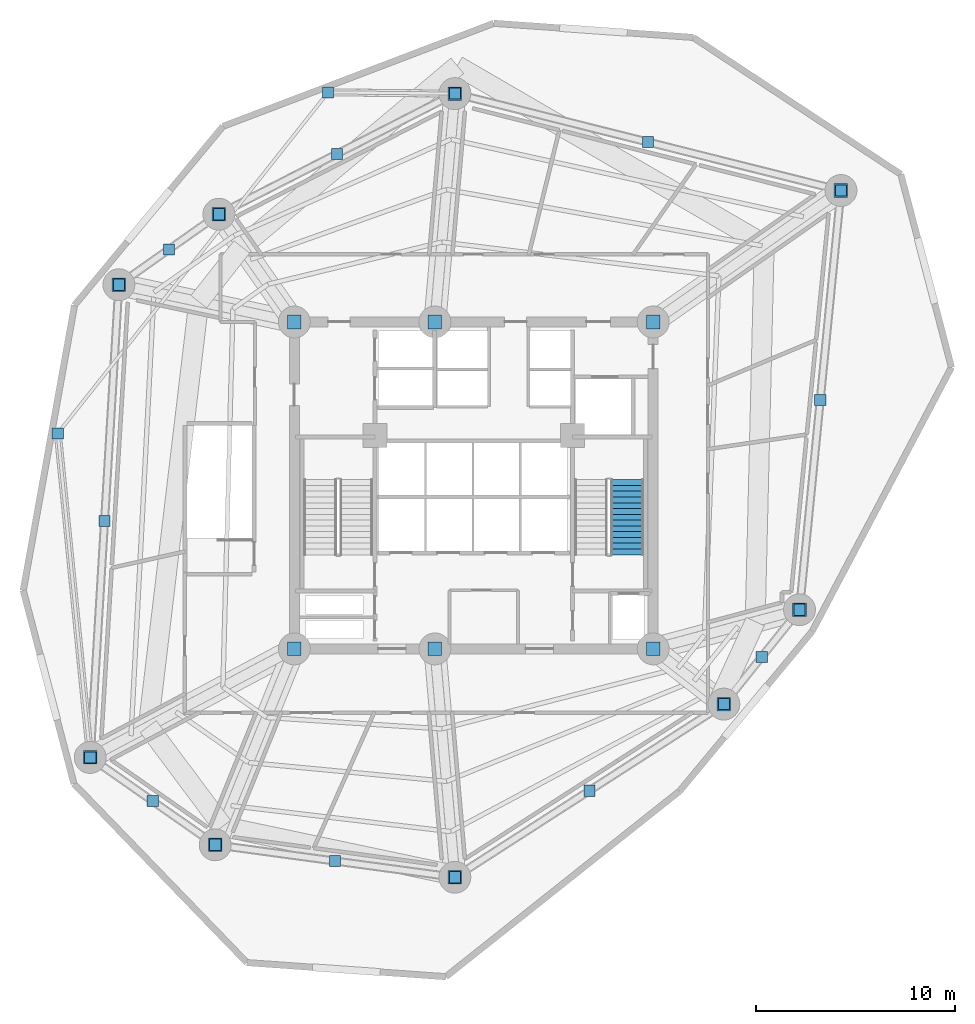
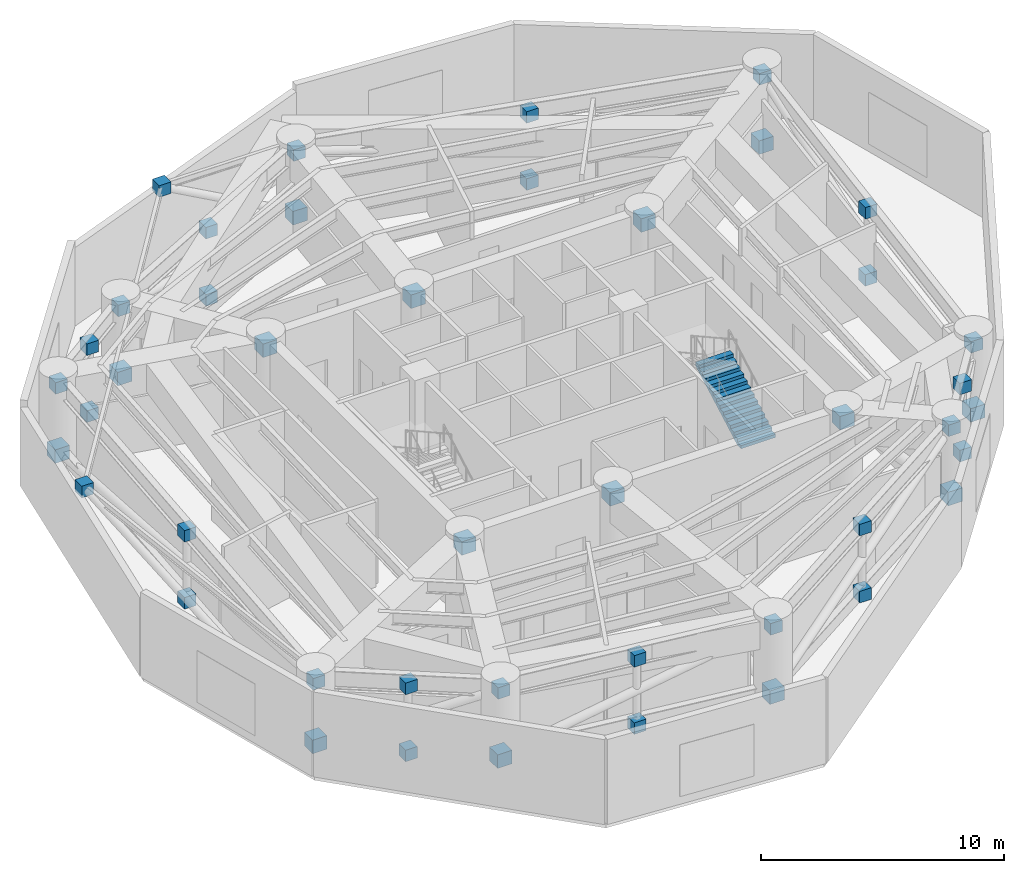
# One storey, part 10 of 13: 44 discrete accessories, 1 stair flight, 1 element without a shape of its own.
"""IFC4 building model written with IfcOpenShell, lengths in metres."""

import ifcopenshell
import ifcopenshell.guid

model = None  # the IFC model being written
_history = None  # IfcOwnerHistory: only IFC2X3 demands one
_inside = {}  # id of a spatial element -> (the spatial element, [elements in it])
_under = {}  # id of a project, library or spatial element -> (it, [spatial elements below it])
_declared = {}  # id of a project -> (the project, [libraries it declares])
_typed = {}  # id of a type object -> (the type object, [elements of that type])
_made_of = {}  # id of a material, layer set ... -> (it, [elements and type objects made of it])


def new_model(schema):
    """Start an empty IFC model of exactly this schema.

    Asked for "IFC4X3", IfcOpenShell would pick the latest addendum, in which some entities
    have other attributes; the version numbers below select the first issue.
    IFC2X3 requires an IfcOwnerHistory on every rooted entity: one is made here for all.
    """
    global model, _history
    if schema == "IFC4X3":
        model = ifcopenshell.file(schema_version=(4, 3, 0, 0))
    else:
        model = ifcopenshell.file(schema=schema)
    _inside.clear()
    _under.clear()
    _declared.clear()
    _typed.clear()
    _made_of.clear()
    _history = None
    if model.schema == "IFC2X3":
        org = make("IfcOrganization", Name="unknown")
        user = make(
            "IfcPersonAndOrganization",
            ThePerson=make("IfcPerson", FamilyName="unknown"),
            TheOrganization=org,
        )
        app = make(
            "IfcApplication",
            ApplicationDeveloper=org,
            Version="unknown",
            ApplicationFullName="unknown",
            ApplicationIdentifier="unknown",
        )
        _history = make(
            "IfcOwnerHistory",
            OwningUser=user,
            OwningApplication=app,
            ChangeAction="ADDED",
            CreationDate=0,
        )
    return model


def make(cls, **values):
    """One entity of the class cls with the attributes given. An attribute that is None is left unset."""
    return model.create_entity(
        cls, **{name: value for name, value in values.items() if value is not None}
    )


def rooted(cls, **values):
    """An entity with a GlobalId (a new one), such as an element, a storey or a relation."""
    return make(cls, GlobalId=ifcopenshell.guid.new(), OwnerHistory=_history, **values)


def si_unit(unit_type, name, prefix=None):
    """IfcSIUnit, for example si_unit("LENGTHUNIT", "METRE", prefix="MILLI")."""
    return make("IfcSIUnit", UnitType=unit_type, Prefix=prefix, Name=name)


def assignment(units):
    """IfcUnitAssignment: the units of a project."""
    return None if units is None else make("IfcUnitAssignment", Units=units)


def point(xyz):
    """IfcCartesianPoint."""
    return None if xyz is None else make("IfcCartesianPoint", Coordinates=xyz)


def direction(xyz):
    """IfcDirection."""
    return None if xyz is None else make("IfcDirection", DirectionRatios=xyz)


def frame(location, z_axis=None, x_axis=None):
    """IfcAxis2Placement3D, a coordinate frame: its origin and axes. An axis left out is left unset."""
    return make(
        "IfcAxis2Placement3D",
        Location=point(location),
        Axis=direction(z_axis),
        RefDirection=direction(x_axis),
    )


def frame_2d(location, x_axis=None):
    """IfcAxis2Placement2D, a coordinate frame in the plane: its origin and x axis."""
    return make(
        "IfcAxis2Placement2D", Location=point(location), RefDirection=direction(x_axis)
    )


def origin():
    """The frame at (0, 0, 0) with its axes left unset."""
    return frame((0.0, 0.0, 0.0))


def origin_with_axes():
    """The frame at (0, 0, 0) with the z axis (0, 0, 1) and the x axis (1, 0, 0) written out."""
    return frame((0.0, 0.0, 0.0), z_axis=(0.0, 0.0, 1.0), x_axis=(1.0, 0.0, 0.0))


def origin_2d():
    """The frame at (0, 0) in the plane with its x axis left unset."""
    return frame_2d((0.0, 0.0))


def place(relative_to, where):
    """IfcLocalPlacement: puts the frame where relative to a parent placement (None: the world)."""
    return make(
        "IfcLocalPlacement", PlacementRelTo=relative_to, RelativePlacement=where
    )


def context(
    kind, dimensions, precision=None, world=None, true_north=None, identifier=None
):
    """IfcGeometricRepresentationContext, for example the 3D "Model" context."""
    return make(
        "IfcGeometricRepresentationContext",
        ContextIdentifier=identifier,
        ContextType=kind,
        CoordinateSpaceDimension=dimensions,
        Precision=precision,
        WorldCoordinateSystem=world,
        TrueNorth=true_north,
    )


def subcontext(parent, identifier, kind, view, scale=None):
    """IfcGeometricRepresentationSubContext, for example "Body" below "Model"."""
    return make(
        "IfcGeometricRepresentationSubContext",
        ContextIdentifier=identifier,
        ContextType=kind,
        ParentContext=parent,
        TargetScale=scale,
        TargetView=view,
    )


def project(units=None, contexts=None):
    """IfcProject with its units and contexts."""
    return rooted(
        "IfcProject",
        Name="project",
        RepresentationContexts=contexts,
        UnitsInContext=assignment(units),
    )


def spatial(cls, under=None, at=None, **own):
    """A site, building, storey or space (cls), placed at a placement, below another one or the project."""
    s = rooted(cls, ObjectPlacement=at, **own)
    if under is not None:
        _under.setdefault(under.id(), (under, []))[1].append(s)
    return s


def polyline(points):
    """IfcPolyline through the points."""
    return make("IfcPolyline", Points=[point(p) for p in points])


def profile(cls, at=None, kind="AREA", **sizes):
    """A parametric profile (cls). Its sizes go by their IFC names, for example OverallWidth=200.0."""
    return make(cls, ProfileType=kind, Position=at, **sizes)


def rectangle(**sizes):
    """IfcRectangleProfileDef."""
    return profile("IfcRectangleProfileDef", **sizes)


def outline(outer, holes=None, kind="AREA"):
    """IfcArbitraryClosedProfileDef: a profile drawn as a closed curve; with holes, ...WithVoids."""
    if holes is None:
        return make("IfcArbitraryClosedProfileDef", ProfileType=kind, OuterCurve=outer)
    return make(
        "IfcArbitraryProfileDefWithVoids",
        ProfileType=kind,
        OuterCurve=outer,
        InnerCurves=holes,
    )


def extrude(swept, where, along, depth):
    """IfcExtrudedAreaSolid: the profile swept, set in the frame where, extruded along a direction by depth."""
    return make(
        "IfcExtrudedAreaSolid",
        SweptArea=swept,
        Position=where,
        ExtrudedDirection=direction(along),
        Depth=depth,
    )


def shape(context_of_items, identifier, shape_type, items):
    """IfcShapeRepresentation: the items that make up one representation, for example the "Body"."""
    return make(
        "IfcShapeRepresentation",
        ContextOfItems=context_of_items,
        RepresentationIdentifier=identifier,
        RepresentationType=shape_type,
        Items=items,
    )


def source(mapping_origin, context_of_items, identifier, shape_type, items):
    """IfcRepresentationMap: a shape defined once, which mapped items show again and again."""
    return make(
        "IfcRepresentationMap",
        MappingOrigin=mapping_origin,
        MappedRepresentation=shape(context_of_items, identifier, shape_type, items),
    )


def transform(
    local_origin,
    x_axis=None,
    y_axis=None,
    z_axis=None,
    scale=None,
    scale2=None,
    scale3=None,
    uniform=True,
):
    """IfcCartesianTransformationOperator3D, or its non-uniform kind. x_axis, y_axis, z_axis: its Axis1, 2, 3."""
    if uniform:
        return make(
            "IfcCartesianTransformationOperator3D",
            Axis1=direction(x_axis),
            Axis2=direction(y_axis),
            LocalOrigin=point(local_origin),
            Scale=scale,
            Axis3=direction(z_axis),
        )
    return make(
        "IfcCartesianTransformationOperator3DnonUniform",
        Axis1=direction(x_axis),
        Axis2=direction(y_axis),
        LocalOrigin=point(local_origin),
        Scale=scale,
        Axis3=direction(z_axis),
        Scale2=scale2,
        Scale3=scale3,
    )


def mapped(mapping_source, mapping_target):
    """IfcMappedItem: shows the shape of a source again, moved by a transform."""
    return make(
        "IfcMappedItem", MappingSource=mapping_source, MappingTarget=mapping_target
    )


def material(Name=None, Category=None):
    """IfcMaterial."""
    return make("IfcMaterial", Name=Name, Category=Category)


def made_of(thing, what):
    """Note that an element or type object is made of a material, layer set ...; save() writes the relation."""
    if what is not None:
        _made_of.setdefault(what.id(), (what, []))[1].append(thing)
    return thing


def type_object(cls, material=None, **own):
    """A type object (cls), such as IfcWallType, which elements share."""
    return made_of(rooted(cls, **own), material)


def element(
    cls,
    number,
    at=None,
    inside=None,
    cuts=None,
    type_object=None,
    material=None,
    context=None,
    identifier="Body",
    shape_type=None,
    held_by="IfcProductDefinitionShape",
    body=None,
    shapes=None,
    **own,
):
    """One element of the class cls, such as IfcWall. Its Tag is "e" and its number.

    at: its placement. inside: the storey or other place that contains it. cuts: it is an
    opening in that element (IfcRelVoidsElement). A single representation is given by context,
    identifier, shape_type and body (its items); several are given by shapes. held_by: the class
    of the entity that holds the representations. save() writes the other relations.
    """
    e = rooted(cls, Tag="e%d" % number, ObjectPlacement=at, **own)
    if body is not None:
        shapes = [shape(context, identifier, shape_type, body)]
    if shapes is not None:
        e.Representation = make(held_by, Representations=shapes)
    if inside is not None:
        _inside.setdefault(inside.id(), (inside, []))[1].append(e)
    if cuts is not None:
        rooted(
            "IfcRelVoidsElement", RelatingBuildingElement=cuts, RelatedOpeningElement=e
        )
    if type_object is not None:
        _typed.setdefault(type_object.id(), (type_object, []))[1].append(e)
    return made_of(e, material)


def aggregate(whole, parts):
    """IfcRelAggregates: a whole, such as a stair, and the parts it consists of."""
    return rooted("IfcRelAggregates", RelatingObject=whole, RelatedObjects=parts)


def save(model, path):
    """Write the relations noted so far, then the file.

    IfcRelAggregates (storeys below a building ...), IfcRelContainedInSpatialStructure (elements
    in a storey), IfcRelDefinesByType, IfcRelAssociatesMaterial and IfcRelDeclares: one each for
    every whole, place, type object, material and project.
    """
    for whole, parts in _under.values():
        aggregate(whole, parts)
    for where, things in _inside.values():
        rooted(
            "IfcRelContainedInSpatialStructure",
            RelatedElements=things,
            RelatingStructure=where,
        )
    for kind, things in _typed.values():
        rooted("IfcRelDefinesByType", RelatedObjects=things, RelatingType=kind)
    for what, things in _made_of.values():
        rooted("IfcRelAssociatesMaterial", RelatedObjects=things, RelatingMaterial=what)
    for by, libraries in _declared.values():
        rooted("IfcRelDeclares", RelatingContext=by, RelatedDefinitions=libraries)
    model.write(path)


model = new_model("IFC4")

# Units and contexts
model_context = context("Model", 3, precision=1e-05, world=origin(), true_north=direction((0.0, 1.0)))
body_context = subcontext(model_context, "Body", "Model", "MODEL_VIEW")
ifc_project = project(units=[si_unit("LENGTHUNIT", "METRE"), si_unit("AREAUNIT", "SQUARE_METRE"), si_unit("VOLUMEUNIT", "CUBIC_METRE"), si_unit("PLANEANGLEUNIT", "RADIAN"), si_unit("MASSUNIT", "GRAM", prefix="KILO")], contexts=[model_context])

# Site, building, storey
site_placement = place(None, origin())
site = spatial("IfcSite", under=ifc_project, at=site_placement, CompositionType="ELEMENT")
building_placement = place(site_placement, origin())
building = spatial("IfcBuilding", under=site, at=building_placement, Name="Karkom Vertical University and Central Library", CompositionType="ELEMENT")
storey_placement = place(building_placement, frame((0.0, 0.0, 87.699951171875)))
storey = spatial("IfcBuildingStorey", under=building, at=storey_placement, Name="P23", CompositionType="ELEMENT", Elevation=87.699951171875)

# Stair, stair flight
ifc_material_1 = material(Name="Concrete C45/55", Category="concrete")
stair_type = type_object("IfcStairType", Name="INT-STR-ST-MAIN", PredefinedType="HALF_TURN_STAIR", material=ifc_material_1)
stair_placement = place(storey_placement, origin())
stair = element("IfcStair", 1, at=stair_placement, inside=storey, type_object=stair_type, Name="Plant Level 23 Tower Protected Exit Stair ST-2", PredefinedType="HALF_TURN_STAIR")
stair_flight_type = type_object("IfcStairFlightType", Name="INT-SFL-ST-MAIN", PredefinedType="STRAIGHT", material=ifc_material_1)
stair_flight_placement = place(storey_placement, frame((36.195068359375, 23.02001953125, 0.0), z_axis=(0.0, 0.0, 1.0), x_axis=(0.0, 1.0, 0.0)))
stair_flight = element("IfcStairFlight", 2, at=stair_flight_placement, type_object=stair_flight_type, Name="ST-2 flight 1", NumberOfRisers=14, NumberOfTreads=13, PredefinedType="STRAIGHT", RiserHeight=0.160714286, TreadLength=0.29, context=body_context, shape_type="SweptSolid", body=[
    extrude(outline(polyline([(0.0, 0.0), (0.0, 0.16064453125), (0.2900390625, 0.16064453125), (0.2900390625, 0.321533203125), (0.580078125, 0.321533203125), (0.580078125, 0.482177734375), (0.8701171875, 0.482177734375), (0.8701171875, 0.642822265625), (1.159912109375, 0.642822265625), (1.159912109375, 0.803466796875), (1.449951171875, 0.803466796875), (1.449951171875, 0.96435546875), (1.739990234375, 0.96435546875), (1.739990234375, 1.125), (2.030029296875, 1.125), (2.030029296875, 1.28564453125), (2.320068359375, 1.28564453125), (2.320068359375, 1.446533203125), (2.610107421875, 1.446533203125), (2.610107421875, 1.607177734375), (2.89990234375, 1.607177734375), (2.89990234375, 1.767822265625), (3.18994140625, 1.767822265625), (3.18994140625, 1.928466796875), (3.47998046875, 1.928466796875), (3.47998046875, 2.08935546875), (3.77001953125, 2.08935546875), (3.77001953125, 2.25), (3.77001953125, 1.91796875), (0.309326171875, 0.0), (0.0, 0.0)])), frame((0.0, 0.824951171875, 0.0), z_axis=(0.0, -1.0, 0.0), x_axis=(1.0, 0.0, 0.0)), (0.0, 0.0, 1.0), 1.64990234375),
])
aggregate(stair, [stair_flight])

# Discrete accessories
ifc_material_2 = material(Name="Ductile cast iron EN-GJS-400-15", Category="metal")
discrete_accessory_type = type_object("IfcDiscreteAccessoryType", Name="STR-ACC-NODECAP", PredefinedType="BRACKET", material=ifc_material_2)
shared_shape_1 = source(origin_with_axes(), body_context, "Body", "SweptSolid", [
    extrude(rectangle(XDim=0.56005859375, YDim=0.56005859375, at=origin_2d()), origin(), (0.0, 0.0, 1.0), 0.580078125),
])
for number, where, z_axis, x_axis, name in (
    (3, (21.193603515625, 46.218994140625, 3.820068359375), (0.0, 0.0, 1.0), (1.0, 0.0, 0.0), "Plant Level 23 Cast Node Connector P23-SKG-KNEE-1 B"),
    (4, (7.6337890625, 29.110595703125, 3.820068359375), (0.0, 0.0, 1.0), (1.0, 0.0, 0.0), "Plant Level 23 Cast Node Connector P23-SKG-KNEE-2 B"),
    (5, (46.919921875, 41.2958984375, 3.43505859375), (0.0, 0.0, 1.0), (1.0, 0.0, 0.0), "Plant Level 23 Cast Node Connector P23-BELT-BRACE-01 B"),
    (6, (45.880615234375, 30.781494140625, 0.06005859375), (0.0, 0.0, 1.0), (1.0, 0.0, 0.0), "Plant Level 23 Cast Node Connector P23-BELT-POST-01 A"),
    (7, (45.880615234375, 30.781494140625, 3.43505859375), (0.0, 0.0, 1.0), (1.0, 0.0, 0.0), "Plant Level 23 Cast Node Connector P23-BELT-POST-01 B"),
    (8, (27.552001953125, 46.156005859375, 3.43505859375), (0.0, 0.0, 1.0), (1.0, 0.0, 0.0), "Plant Level 23 Cast Node Connector P23-BELT-BRACE-02 B"),
    (9, (37.236083984375, 43.72607421875, 0.06005859375), (0.0, 0.0, 1.0), (1.0, 0.0, 0.0), "Plant Level 23 Cast Node Connector P23-BELT-POST-02 A"),
    (10, (37.236083984375, 43.72607421875, 3.43505859375), (0.0, 0.0, 1.0), (1.0, 0.0, 0.0), "Plant Level 23 Cast Node Connector P23-BELT-POST-02 B"),
    (11, (15.714111328125, 40.10595703125, 3.43505859375), (0.0, 0.0, 1.0), (1.0, 0.0, 0.0), "Plant Level 23 Cast Node Connector P23-BELT-BRACE-03 B"),
    (12, (21.633056640625, 43.131103515625, 0.06005859375), (0.0, 0.0, 1.0), (1.0, 0.0, 0.0), "Plant Level 23 Cast Node Connector P23-BELT-POST-03 A"),
    (13, (21.633056640625, 43.131103515625, 3.43505859375), (0.0, 0.0, 1.0), (1.0, 0.0, 0.0), "Plant Level 23 Cast Node Connector P23-BELT-POST-03 B"),
    (14, (10.697021484375, 36.571044921875, 3.43505859375), (0.0, 0.0, 1.0), (1.0, 0.0, 0.0), "Plant Level 23 Cast Node Connector P23-BELT-BRACE-04 B"),
    (15, (13.20556640625, 38.33837890625, 0.06005859375), (0.0, 0.0, 1.0), (1.0, 0.0, 0.0), "Plant Level 23 Cast Node Connector P23-BELT-POST-04 A"),
    (16, (13.20556640625, 38.33837890625, 3.43505859375), (0.0, 0.0, 1.0), (1.0, 0.0, 0.0), "Plant Level 23 Cast Node Connector P23-BELT-POST-04 B"),
    (17, (9.258056640625, 12.85400390625, 3.43505859375), (0.0, 0.0, 1.0), (1.0, 0.0, 0.0), "Plant Level 23 Cast Node Connector P23-BELT-BRACE-05 B"),
    (18, (9.9775390625, 24.71240234375, 0.06005859375), (0.0, 0.0, 1.0), (1.0, 0.0, 0.0), "Plant Level 23 Cast Node Connector P23-BELT-POST-05 A"),
    (19, (9.9775390625, 24.71240234375, 3.43505859375), (0.0, 0.0, 1.0), (1.0, 0.0, 0.0), "Plant Level 23 Cast Node Connector P23-BELT-POST-05 B"),
    (20, (15.529052734375, 8.471923828125, 3.43505859375), (0.0, 0.0, 1.0), (1.0, 0.0, 0.0), "Plant Level 23 Cast Node Connector P23-BELT-BRACE-06 B"),
    (21, (12.3935546875, 10.6630859375, 0.06005859375), (0.0, 0.0, 1.0), (1.0, 0.0, 0.0), "Plant Level 23 Cast Node Connector P23-BELT-POST-06 A"),
    (22, (12.3935546875, 10.6630859375, 3.43505859375), (0.0, 0.0, 1.0), (1.0, 0.0, 0.0), "Plant Level 23 Cast Node Connector P23-BELT-POST-06 B"),
    (23, (27.552001953125, 6.843994140625, 3.43505859375), (0.0, 0.0, 1.0), (1.0, 0.0, 0.0), "Plant Level 23 Cast Node Connector P23-BELT-BRACE-07 B"),
    (24, (21.54052734375, 7.657958984375, 0.06005859375), (0.0, 0.0, 1.0), (1.0, 0.0, 0.0), "Plant Level 23 Cast Node Connector P23-BELT-POST-07 A"),
    (25, (21.54052734375, 7.657958984375, 3.43505859375), (0.0, 0.0, 1.0), (1.0, 0.0, 0.0), "Plant Level 23 Cast Node Connector P23-BELT-POST-07 B"),
    (26, (41.0458984375, 15.530029296875, 3.43505859375), (0.0, 0.0, 1.0), (1.0, 0.0, 0.0), "Plant Level 23 Cast Node Connector P23-BELT-BRACE-08 B"),
    (27, (34.299072265625, 11.18701171875, 0.06005859375), (0.0, 0.0, 1.0), (1.0, 0.0, 0.0), "Plant Level 23 Cast Node Connector P23-BELT-POST-08 A"),
    (28, (34.299072265625, 11.18701171875, 3.43505859375), (0.0, 0.0, 1.0), (1.0, 0.0, 0.0), "Plant Level 23 Cast Node Connector P23-BELT-POST-08 B"),
    (29, (44.841064453125, 20.26708984375, 3.43505859375), (0.0, 0.0, 1.0), (1.0, 0.0, 0.0), "Plant Level 23 Cast Node Connector P23-BELT-BRACE-09 B"),
    (30, (42.943603515625, 17.8984375, 0.06005859375), (0.0, 0.0, 1.0), (1.0, 0.0, 0.0), "Plant Level 23 Cast Node Connector P23-BELT-POST-09 A"),
    (31, (42.943603515625, 17.8984375, 3.43505859375), (0.0, 0.0, 1.0), (1.0, 0.0, 0.0), "Plant Level 23 Cast Node Connector P23-BELT-POST-09 B"),
):
    element("IfcDiscreteAccessory", number, at=place(storey_placement, frame(where, z_axis=z_axis, x_axis=x_axis)), inside=storey, type_object=discrete_accessory_type, Name=name, PredefinedType="BRACKET", context=body_context, shape_type="MappedRepresentation", body=[
        mapped(shared_shape_1, transform((0.0, 0.0, 0.0), scale=1.0)),
    ])
shared_shape_2 = source(origin_with_axes(), body_context, "Body", "SweptSolid", [
    extrude(rectangle(XDim=0.679931640625, YDim=0.679931640625, at=origin_2d()), origin(), (0.0, 0.0, 1.0), 0.679931640625),
])
for number, where, z_axis, x_axis, name in (
    (32, (27.552001953125, 46.156005859375, 0.2900390625), (0.0, 0.0, 1.0), (1.0, 0.0, 0.0), "Plant Level 23 Cast Node Connector P23-SKG-KNEE-1 A"),
    (33, (9.258056640625, 12.85400390625, 0.2900390625), (0.0, 0.0, 1.0), (1.0, 0.0, 0.0), "Plant Level 23 Cast Node Connector P23-SKG-KNEE-2 A"),
    (34, (44.841064453125, 20.26708984375, 0.01025390625), (0.0, 0.0, 1.0), (1.0, 0.0, 0.0), "Plant Level 23 Cast Node Connector P23-BELT-BRACE-01 A"),
    (35, (46.919921875, 41.2958984375, 0.01025390625), (0.0, 0.0, 1.0), (1.0, 0.0, 0.0), "Plant Level 23 Cast Node Connector P23-BELT-CHORD-01 B"),
    (36, (15.714111328125, 40.10595703125, 0.01025390625), (0.0, 0.0, 1.0), (1.0, 0.0, 0.0), "Plant Level 23 Cast Node Connector P23-BELT-CHORD-03 B"),
    (37, (10.697021484375, 36.571044921875, 0.01025390625), (0.0, 0.0, 1.0), (1.0, 0.0, 0.0), "Plant Level 23 Cast Node Connector P23-BELT-CHORD-04 B"),
    (38, (15.529052734375, 8.471923828125, 0.01025390625), (0.0, 0.0, 1.0), (1.0, 0.0, 0.0), "Plant Level 23 Cast Node Connector P23-BELT-CHORD-06 B"),
    (39, (27.552001953125, 6.843994140625, 0.01025390625), (0.0, 0.0, 1.0), (1.0, 0.0, 0.0), "Plant Level 23 Cast Node Connector P23-BELT-CHORD-07 B"),
    (40, (41.0458984375, 15.530029296875, 0.01025390625), (0.0, 0.0, 1.0), (1.0, 0.0, 0.0), "Plant Level 23 Cast Node Connector P23-BELT-CHORD-08 B"),
    (41, (37.5, 18.300048828125, 3.38525390625), (0.0, 0.0, 1.0), (1.0, 0.0, 0.0), "Plant Level 23 Cast Node Connector P23-OUTRIGGER-BRACE-01 A"),
    (42, (37.5, 34.699951171875, 3.38525390625), (0.0, 0.0, 1.0), (1.0, 0.0, 0.0), "Plant Level 23 Cast Node Connector P23-OUTRIGGER-BRACE-02 A"),
    (43, (26.550048828125, 34.699951171875, 3.38525390625), (0.0, 0.0, 1.0), (1.0, 0.0, 0.0), "Plant Level 23 Cast Node Connector P23-OUTRIGGER-BRACE-03 A"),
    (44, (19.5, 34.699951171875, 3.38525390625), (0.0, 0.0, 1.0), (1.0, 0.0, 0.0), "Plant Level 23 Cast Node Connector P23-OUTRIGGER-BRACE-04 A"),
    (45, (19.5, 18.300048828125, 3.38525390625), (0.0, 0.0, 1.0), (1.0, 0.0, 0.0), "Plant Level 23 Cast Node Connector P23-OUTRIGGER-BRACE-06 A"),
    (46, (26.550048828125, 18.300048828125, 3.38525390625), (0.0, 0.0, 1.0), (1.0, 0.0, 0.0), "Plant Level 23 Cast Node Connector P23-OUTRIGGER-BRACE-08 A"),
):
    element("IfcDiscreteAccessory", number, at=place(storey_placement, frame(where, z_axis=z_axis, x_axis=x_axis)), inside=storey, type_object=discrete_accessory_type, Name=name, PredefinedType="BRACKET", context=body_context, shape_type="MappedRepresentation", body=[
        mapped(shared_shape_2, transform((0.0, 0.0, 0.0), scale=1.0)),
    ])

save(model, "model.ifc")
